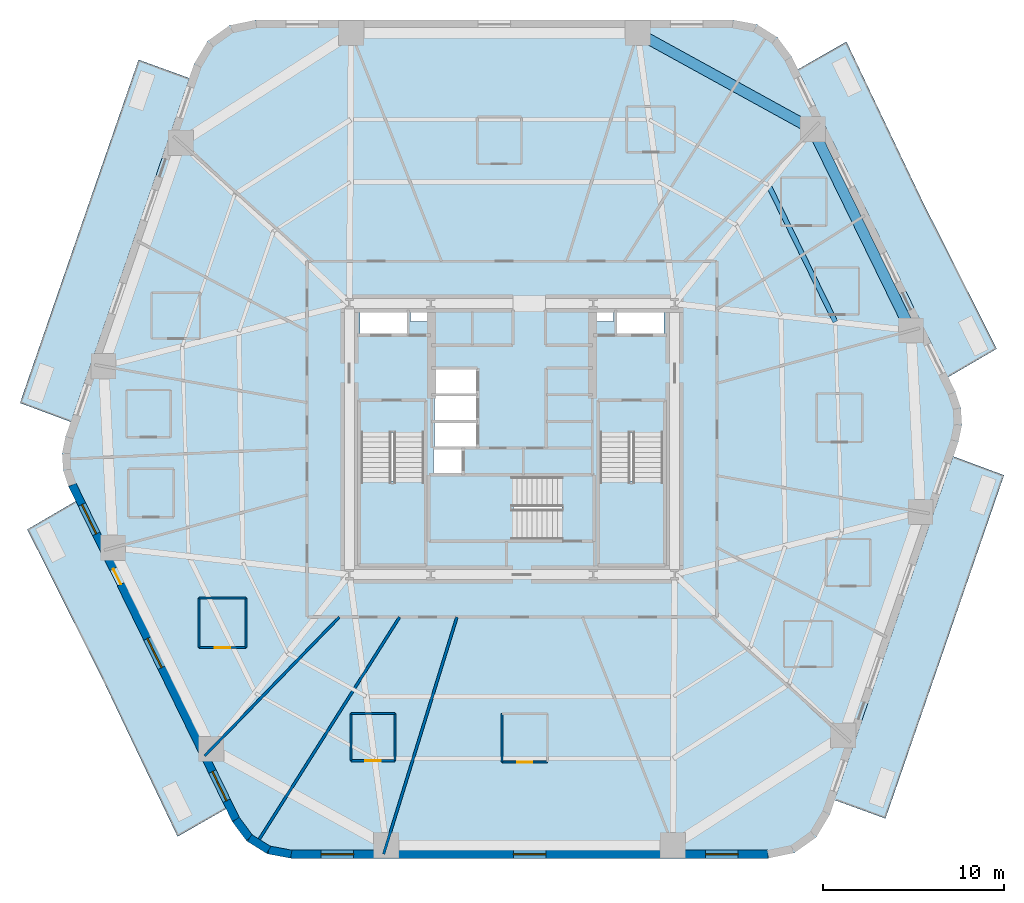
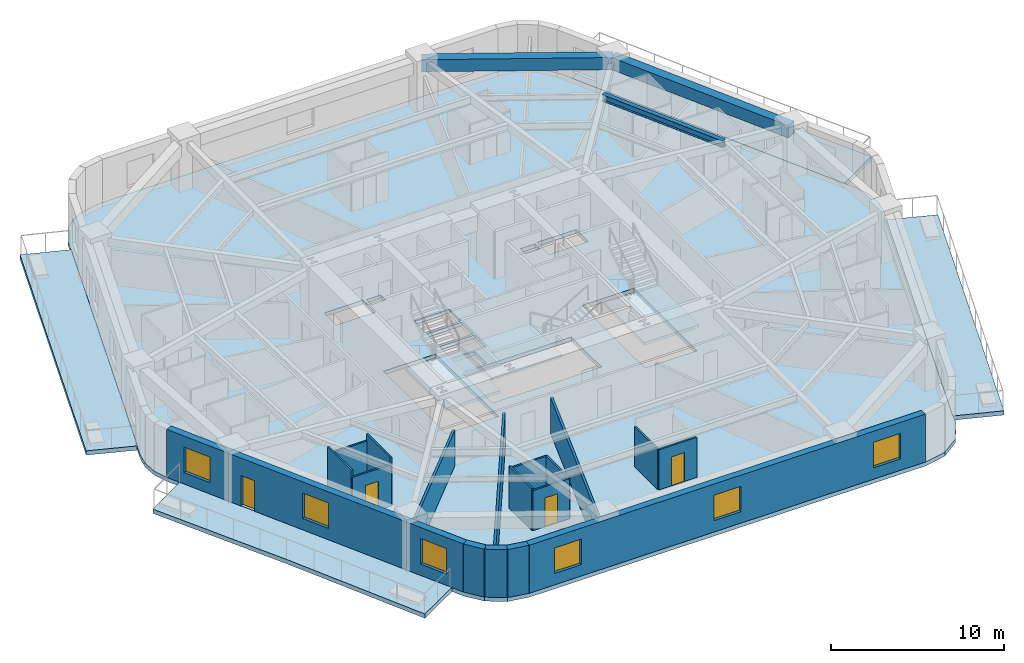
# One storey, part 2 of 10: 18 walls, 8 slabs, 6 windows, 4 doors, 3 beams, 10 openings, 3 elements without a shape of their own.
"""IFC4 building model written with IfcOpenShell, lengths in metres."""

from ifc_helpers import new_model, si_unit, direction, frame, frame_2d, origin, origin_2d, place, context, subcontext, project, spatial, polyline, rectangle, i_section, outline, extrude, material, layer, layer_set, material_profile, profile_set, type_object, element, fill, aggregate, save


model = new_model("IFC4")

# Units and contexts
model_context = context("Model", 3, precision=1e-05, world=origin(), true_north=direction((0.0, 1.0)))
body_context = subcontext(model_context, "Body", "Model", "MODEL_VIEW")
ifc_project = project(units=[si_unit("LENGTHUNIT", "METRE"), si_unit("AREAUNIT", "SQUARE_METRE"), si_unit("VOLUMEUNIT", "CUBIC_METRE"), si_unit("PLANEANGLEUNIT", "RADIAN"), si_unit("MASSUNIT", "GRAM", prefix="KILO")], contexts=[model_context])

# Site, building, storey
site_placement = place(None, origin())
site = spatial("IfcSite", under=ifc_project, at=site_placement, CompositionType="ELEMENT")
building_placement = place(site_placement, origin())
building = spatial("IfcBuilding", under=site, at=building_placement, Name="Kilnhurst Terrace Hotel", CompositionType="ELEMENT")
storey_placement = place(building_placement, frame((0.0, 0.0, 82.300048828125)))
storey = spatial("IfcBuildingStorey", under=building, at=storey_placement, Name="L19", CompositionType="ELEMENT", Elevation=82.300048828125)

# Beams
ifc_material_1 = material(Name="Concrete C50/60", Category="concrete")
ifc_material_profile_1 = material_profile(ifc_material_1, rectangle(XDim=0.60009765625, YDim=0.85009765625, at=origin_2d()), Name="RC600X850")
ifc_profile_set_1 = profile_set([ifc_material_profile_1], Name="Concrete C50/60")
beam_type_1 = type_object("IfcBeamType", Name="BM-SPN-600X850", PredefinedType="SPANDREL", material=ifc_profile_set_1)
beam_1_placement = place(storey_placement, frame((22.083984375, 6.013916015625, 2.954833984375), z_axis=(-0.438922573627, 0.898524888003, 0.0), x_axis=(-0.898524888003, -0.438922573627, 0.0)))
element("IfcBeam", 1, at=beam_1_placement, inside=storey, type_object=beam_type_1, Name="L19 Perimeter Spandrel Beam 5", PredefinedType="SPANDREL", context=body_context, shape_type="SweptSolid", body=[
    extrude(rectangle(XDim=0.60009765625, YDim=0.85009765625, at=origin_2d()), origin(), (0.0, 0.0, 1.0), 12.39599609375),
])
beam_2_placement = place(storey_placement, frame((16.64306640625, 17.152099609375, 2.954833984375), z_axis=(-0.876235488803, 0.481883147829, 0.0), x_axis=(-0.481883147829, -0.876235488803, 0.0)))
element("IfcBeam", 2, at=beam_2_placement, inside=storey, type_object=beam_type_1, Name="L19 Perimeter Spandrel Beam 6", PredefinedType="SPANDREL", context=body_context, shape_type="SweptSolid", body=[
    extrude(rectangle(XDim=0.60009765625, YDim=0.85009765625, at=origin_2d()), origin(), (0.0, 0.0, 1.0), 11.056396484375),
])
ifc_material_2 = material(Name="Steel ASTM A992 Grade 50", Category="steel")
ifc_material_profile_2 = material_profile(ifc_material_2, i_section(OverallWidth=0.279296875, OverallDepth=0.462890625, WebThickness=0.0107421875, FlangeThickness=0.017333984375, at=origin_2d()), Name="W18X76")
ifc_profile_set_2 = profile_set([ifc_material_profile_2], Name="Steel ASTM A992 Grade 50")
beam_type_2 = type_object("IfcBeamType", Name="JST-STL-W18X76", PredefinedType="JOIST", material=ifc_profile_set_2)
beam_3_placement = place(storey_placement, frame((17.897216796875, 6.489501953125, 3.14794921875), z_axis=(-0.438934275949, 0.898519171413, 0.0), x_axis=(-0.898519171413, -0.438934275949, 0.0)))
element("IfcBeam", 3, at=beam_3_placement, inside=storey, type_object=beam_type_2, Name="L19 Secondary Floor Steel Joist OUT.5", PredefinedType="JOIST", context=body_context, shape_type="SweptSolid", body=[
    extrude(i_section(OverallWidth=0.279296875, OverallDepth=0.462890625, WebThickness=0.0107421875, FlangeThickness=0.017333984375, at=origin_2d()), origin(), (0.0, 0.0, 1.0), 8.429443359375),
])

# Slabs
ifc_layer_1 = layer(ifc_material_1, 0.300048828125, Name="Concrete C50/60")
ifc_layer_set_1 = layer_set([ifc_layer_1], Name="Concrete C50/60")
slab_type_1 = type_object("IfcSlabType", Name="SLB-BAL-300", PredefinedType="FLOOR", material=ifc_layer_set_1)
slab_1_placement = place(storey_placement, frame((0.0, 0.0, -0.300048828125)))
element("IfcSlab", 4, at=slab_1_placement, inside=storey, type_object=slab_type_1, Name="L19 Cantilevered Planted Terrace Slab BAL-L1A", PredefinedType="FLOOR", context=body_context, shape_type="SweptSolid", body=[
    extrude(outline(polyline([(23.98046875, -11.4296875), (20.670166015625, -21.0), (17.84912109375, -19.975341796875), (24.410888671875, -0.9501953125), (27.23388671875, -2.0), (23.98046875, -11.4296875)])), origin(), (0.0, 0.0, 1.0), 0.300048828125),
])
slab_2_placement = place(storey_placement, frame((0.0, 0.0, -0.300048828125)))
element("IfcSlab", 5, at=slab_2_placement, inside=storey, type_object=slab_type_1, Name="L19 Cantilevered Planted Terrace Slab BAL-L1B", PredefinedType="FLOOR", context=body_context, shape_type="SweptSolid", body=[
    extrude(outline(polyline([(26.830810546875, 5.0), (24.128662109375, 3.42333984375), (15.809814453125, 20.452880859375), (18.509521484375, 22.0), (22.697021484375, 13.21142578125), (26.830810546875, 5.0)])), origin(), (0.0, 0.0, 1.0), 0.300048828125),
])
slab_3_placement = place(storey_placement, frame((0.0, 0.0, -0.300048828125)))
element("IfcSlab", 6, at=slab_3_placement, inside=storey, type_object=slab_type_1, Name="L19 Cantilevered Planted Terrace Slab BAL-L2A", PredefinedType="FLOOR", context=body_context, shape_type="SweptSolid", body=[
    extrude(outline(polyline([(-20.670166015625, 21.0), (-17.84912109375, 19.975341796875), (-24.410888671875, 0.9501953125), (-27.23388671875, 2.0), (-23.98046875, 11.4296875), (-20.670166015625, 21.0)])), origin(), (0.0, 0.0, 1.0), 0.300048828125),
])
slab_4_placement = place(storey_placement, frame((0.0, 0.0, -0.300048828125)))
element("IfcSlab", 7, at=slab_4_placement, inside=storey, type_object=slab_type_1, Name="L19 Cantilevered Planted Terrace Slab BAL-L2B", PredefinedType="FLOOR", context=body_context, shape_type="SweptSolid", body=[
    extrude(outline(polyline([(-26.830810546875, -5.0), (-24.128662109375, -3.42333984375), (-15.809814453125, -20.452880859375), (-18.509521484375, -22.0), (-22.697021484375, -13.21142578125), (-26.830810546875, -5.0)])), origin(), (0.0, 0.0, 1.0), 0.300048828125),
])
ifc_layer_2 = layer(ifc_material_1, 0.280029296875, Name="Concrete C50/60")
ifc_layer_set_2 = layer_set([ifc_layer_2], Name="Concrete C50/60")
slab_type_2 = type_object("IfcSlabType", Name="SLB-FLR-280", PredefinedType="FLOOR", material=ifc_layer_set_2)
slab_5_placement = place(storey_placement, frame((0.0, 0.0, -0.280029296875)))
element("IfcSlab", 8, at=slab_5_placement, inside=storey, type_object=slab_type_2, Name="L19 Structural Floor Slab", PredefinedType="FLOOR", context=body_context, shape_type="SweptSolid", body=[
    extrude(outline(polyline([(-15.476806640625, -21.18017578125), (-14.680908203125, -22.248046875), (-13.551025390625, -22.95361328125), (-12.241943359375, -23.199951171875), (14.191650390625, -23.199951171875), (15.635986328125, -22.8974609375), (16.837890625, -22.040771484375), (17.5947265625, -20.773681640625), (24.712890625, -0.135986328125), (24.90087890625, 0.7861328125), (24.843505859375, 1.7255859375), (24.54443359375, 2.617919921875), (15.476806640625, 21.18017578125), (14.680908203125, 22.248046875), (13.551025390625, 22.95361328125), (12.241943359375, 23.199951171875), (-14.191650390625, 23.199951171875), (-15.635986328125, 22.8974609375), (-16.837890625, 22.040771484375), (-17.5947265625, 20.773681640625), (-24.712890625, 0.135986328125), (-24.90087890625, -0.7861328125), (-24.843505859375, -1.7255859375), (-24.54443359375, -2.617919921875), (-15.476806640625, -21.18017578125)]), holes=[polyline([(-8.35009765625, 0.35498046875), (-4.8798828125, 0.35498046875), (-4.8798828125, -6.89990234375), (-8.35009765625, -6.89990234375), (-8.35009765625, 0.35498046875)]), polyline([(-2.800048828125, -1.89990234375), (-4.35009765625, -1.89990234375), (-4.35009765625, -0.550048828125), (-2.800048828125, -0.550048828125), (-2.800048828125, -1.89990234375)]), polyline([(-1.949951171875, -0.429931640625), (-4.300048828125, -0.429931640625), (-4.300048828125, 0.89990234375), (-1.949951171875, 0.89990234375), (-1.949951171875, -0.429931640625)]), polyline([(-4.300048828125, 1.050048828125), (-4.300048828125, 2.3798828125), (-1.949951171875, 2.3798828125), (-1.949951171875, 1.050048828125), (-4.300048828125, 1.050048828125)]), polyline([(-8.39990234375, 5.75), (-8.39990234375, 7.14990234375), (-5.800048828125, 7.14990234375), (-5.800048828125, 5.75), (-8.39990234375, 5.75)]), polyline([(-4.659912109375, 6.52001953125), (-5.6201171875, 6.52001953125), (-5.6201171875, 7.080078125), (-4.659912109375, 7.080078125), (-4.659912109375, 6.52001953125)]), polyline([(2.7548828125, -5.550048828125), (-4.5, -5.550048828125), (-4.5, -2.080078125), (2.7548828125, -2.080078125), (2.7548828125, -5.550048828125)]), polyline([(8.35009765625, 0.35498046875), (8.35009765625, -6.89990234375), (4.8798828125, -6.89990234375), (4.8798828125, 0.35498046875), (8.35009765625, 0.35498046875)]), polyline([(-1.949951171875, 2.530029296875), (-4.300048828125, 2.530029296875), (-4.300048828125, 3.860107421875), (-1.949951171875, 3.860107421875), (-1.949951171875, 2.530029296875)]), polyline([(5.800048828125, 5.75), (5.800048828125, 7.14990234375), (8.39990234375, 7.14990234375), (8.39990234375, 5.75), (5.800048828125, 5.75)]), polyline([(4.659912109375, 6.52001953125), (4.659912109375, 7.080078125), (5.6201171875, 7.080078125), (5.6201171875, 6.52001953125), (4.659912109375, 6.52001953125)])]), origin(), (0.0, 0.0, 1.0), 0.280029296875),
])

# Stair, slab
stair_type = type_object("IfcStairType", Name="STR-CORE-1660", PredefinedType="HALF_TURN_STAIR", material=ifc_material_1)
stair_1_placement = place(storey_placement, origin())
stair_1 = element("IfcStair", 9, at=stair_1_placement, inside=storey, type_object=stair_type, Name="L19 ST-1", PredefinedType="HALF_TURN_STAIR")
ifc_layer_3 = layer(ifc_material_1, 0.199951171875, Name="Concrete C50/60")
ifc_layer_set_3 = layer_set([ifc_layer_3], Name="Concrete C50/60")
slab_type_3 = type_object("IfcSlabType", Name="SLB-ST-LND-200", PredefinedType="LANDING", material=ifc_layer_set_3)
slab_6_placement = place(storey_placement, frame((0.0, 0.0, 1.64990234375)))
slab_6 = element("IfcSlab", 10, at=slab_6_placement, type_object=slab_type_3, Name="ST-1 landing 1", PredefinedType="LANDING", context=body_context, shape_type="SweptSolid", body=[
    extrude(outline(polyline([(-8.429931640625, -2.330078125), (-4.800048828125, -2.330078125), (-4.800048828125, -6.97998046875), (-8.429931640625, -6.97998046875), (-8.429931640625, -2.330078125)])), origin(), (0.0, 0.0, 1.0), 0.199951171875),
])
aggregate(stair_1, [slab_6])

stair_2_placement = place(storey_placement, origin())
stair_2 = element("IfcStair", 11, at=stair_2_placement, inside=storey, type_object=stair_type, Name="L19 ST-2", PredefinedType="HALF_TURN_STAIR")
slab_7_placement = place(storey_placement, frame((0.0, 0.0, 1.64990234375)))
slab_7 = element("IfcSlab", 12, at=slab_7_placement, type_object=slab_type_3, Name="ST-2 landing 1", PredefinedType="LANDING", context=body_context, shape_type="SweptSolid", body=[
    extrude(outline(polyline([(4.800048828125, -2.330078125), (8.429931640625, -2.330078125), (8.429931640625, -6.97998046875), (4.800048828125, -6.97998046875), (4.800048828125, -2.330078125)])), origin(), (0.0, 0.0, 1.0), 0.199951171875),
])
aggregate(stair_2, [slab_7])

stair_3_placement = place(storey_placement, origin())
stair_3 = element("IfcStair", 13, at=stair_3_placement, inside=storey, type_object=stair_type, Name="L19 ST-3", PredefinedType="HALF_TURN_STAIR")
slab_8_placement = place(storey_placement, frame((0.0, 0.0, 1.64990234375)))
slab_8 = element("IfcSlab", 14, at=slab_8_placement, type_object=slab_type_3, Name="ST-3 landing 1", PredefinedType="LANDING", context=body_context, shape_type="SweptSolid", body=[
    extrude(outline(polyline([(0.070068359375, -2.0), (0.070068359375, -5.6298828125), (-4.580078125, -5.6298828125), (-4.580078125, -2.0), (0.070068359375, -2.0)])), origin(), (0.0, 0.0, 1.0), 0.199951171875),
])
aggregate(stair_3, [slab_8])

# Walls
ifc_material_3 = material(Name="Precast concrete C40/50", Category="concrete")
ifc_layer_4 = layer(ifc_material_3, 0.449951171875, Name="Precast concrete C40/50")
ifc_layer_set_4 = layer_set([ifc_layer_4], Name="Precast concrete C40/50")
wall_type_1 = type_object("IfcWallType", Name="WL-BRK-450", PredefinedType="SOLIDWALL", material=ifc_layer_set_4)
wall_1_placement = place(storey_placement, frame((-15.28369140625, -21.0625, 0.0), z_axis=(0.0, 0.0, 1.0), x_axis=(0.597595366449, -0.801797841104, 0.0)))
element("IfcWall", 15, at=wall_1_placement, inside=storey, type_object=wall_type_1, Name="L19 Rounded Corner Brick Wall C1.1", PredefinedType="SOLIDWALL", context=body_context, shape_type="SweptSolid", body=[
    extrude(rectangle(XDim=1.2685546875, YDim=0.449951171875, at=frame_2d((0.63427734375, 0.0))), origin(), (0.0, 0.0, 1.0), 3.3798828125),
])
wall_2_placement = place(storey_placement, frame((-14.525634765625, -22.07958984375, 0.0), z_axis=(0.0, 0.0, 1.0), x_axis=(0.848185203596, -0.529699783275, 0.0)))
element("IfcWall", 16, at=wall_2_placement, inside=storey, type_object=wall_type_1, Name="L19 Rounded Corner Brick Wall C1.2", PredefinedType="SOLIDWALL", context=body_context, shape_type="SweptSolid", body=[
    extrude(rectangle(XDim=1.247314453125, YDim=0.449951171875, at=frame_2d((0.62353515625, 0.0))), origin(), (0.0, 0.0, 1.0), 3.3798828125),
])
wall_3_placement = place(storey_placement, frame((-13.4677734375, -22.740234375, 0.0), z_axis=(0.0, 0.0, 1.0), x_axis=(0.982717174228, -0.185113358451, 0.0)))
element("IfcWall", 17, at=wall_3_placement, inside=storey, type_object=wall_type_1, Name="L19 Rounded Corner Brick Wall C1.3", PredefinedType="SOLIDWALL", context=body_context, shape_type="SweptSolid", body=[
    extrude(rectangle(XDim=1.268798828125, YDim=0.449951171875, at=frame_2d((0.63427734375, 0.0))), origin(), (0.0, 0.0, 1.0), 3.3798828125),
])

# Wall, openings, windows
wall_4_placement = place(storey_placement, frame((-12.220947265625, -22.97509765625, 0.0), z_axis=(0.0, 0.0, 1.0), x_axis=(1.0, 0.0, 0.0)))
wall_4 = element("IfcWall", 18, at=wall_4_placement, inside=storey, type_object=wall_type_1, Name="L19 Exterior Brick Facade Wall F1", PredefinedType="SOLIDWALL", context=body_context, shape_type="SweptSolid", body=[
    extrude(rectangle(XDim=26.38916015625, YDim=0.449951171875, at=frame_2d((13.194580078125, 0.0))), origin(), (0.0, 0.0, 1.0), 3.3798828125),
])
opening_1_placement = place(wall_4_placement, frame((1.653076171875, 0.0, 0.800048828125)))
opening_1 = element("IfcOpeningElement", 19, at=opening_1_placement, cuts=wall_4, Name="Opening W-01", PredefinedType="OPENING", context=body_context, shape_type="SweptSolid", body=[
    extrude(rectangle(XDim=1.800048828125, YDim=1.800048828125, at=frame_2d((0.89990234375, 0.89990234375))), frame((0.0, 0.23486328125, 0.0), z_axis=(0.0, -1.0, 0.0), x_axis=(1.0, 0.0, 0.0)), (0.0, 0.0, 1.0), 0.469970703125),
])
opening_2_placement = place(wall_4_placement, frame((12.2958984375, 0.0, 0.800048828125)))
opening_2 = element("IfcOpeningElement", 20, at=opening_2_placement, cuts=wall_4, Name="Opening W-01", PredefinedType="OPENING", context=body_context, shape_type="SweptSolid", body=[
    extrude(rectangle(XDim=1.800048828125, YDim=1.800048828125, at=frame_2d((0.89990234375, 0.89990234375))), frame((0.0, 0.23486328125, 0.0), z_axis=(0.0, -1.0, 0.0), x_axis=(1.0, 0.0, 0.0)), (0.0, 0.0, 1.0), 0.469970703125),
])
opening_3_placement = place(wall_4_placement, frame((22.93798828125, 0.0, 0.800048828125)))
opening_3 = element("IfcOpeningElement", 21, at=opening_3_placement, cuts=wall_4, Name="Opening W-01", PredefinedType="OPENING", context=body_context, shape_type="SweptSolid", body=[
    extrude(rectangle(XDim=1.800048828125, YDim=1.800048828125, at=frame_2d((0.89990234375, 0.89990234375))), frame((0.0, 0.23486328125, 0.0), z_axis=(0.0, -1.0, 0.0), x_axis=(1.0, 0.0, 0.0)), (0.0, 0.0, 1.0), 0.469970703125),
])
ifc_material_4 = material(Name="Thermally Broken Bronze Aluminium Alloy 6063-T6 and Low-E Glass", Category="aluminium")
window_type = type_object("IfcWindowType", Name="WIN-1800X1800", PartitioningType="SINGLE_PANEL", PredefinedType="WINDOW", material=ifc_material_4)
window_1_placement = place(opening_1_placement, origin())
window_1 = element("IfcWindow", 22, at=window_1_placement, inside=storey, type_object=window_type, Name="L19 Deep-Set Masonry Window F1.1", OverallHeight=1.800048828125, OverallWidth=1.800048828125, PartitioningType="SINGLE_PANEL", PredefinedType="WINDOW", context=body_context, shape_type="SweptSolid", body=[
    extrude(rectangle(XDim=1.800048828125, YDim=1.800048828125, at=frame_2d((0.89990234375, 0.89990234375))), frame((0.0, 0.030029296875, 0.0), z_axis=(0.0, -1.0, 0.0), x_axis=(1.0, 0.0, 0.0)), (0.0, 0.0, 1.0), 0.06005859375),
])
fill(opening_1, window_1)
window_2_placement = place(opening_2_placement, origin())
window_2 = element("IfcWindow", 23, at=window_2_placement, inside=storey, type_object=window_type, Name="L19 Deep-Set Masonry Window F1.2", OverallHeight=1.800048828125, OverallWidth=1.800048828125, PartitioningType="SINGLE_PANEL", PredefinedType="WINDOW", context=body_context, shape_type="SweptSolid", body=[
    extrude(rectangle(XDim=1.800048828125, YDim=1.800048828125, at=frame_2d((0.89990234375, 0.89990234375))), frame((0.0, 0.030029296875, 0.0), z_axis=(0.0, -1.0, 0.0), x_axis=(1.0, 0.0, 0.0)), (0.0, 0.0, 1.0), 0.06005859375),
])
fill(opening_2, window_2)
window_3_placement = place(opening_3_placement, origin())
window_3 = element("IfcWindow", 24, at=window_3_placement, inside=storey, type_object=window_type, Name="L19 Deep-Set Masonry Window F1.3", OverallHeight=1.800048828125, OverallWidth=1.800048828125, PartitioningType="SINGLE_PANEL", PredefinedType="WINDOW", context=body_context, shape_type="SweptSolid", body=[
    extrude(rectangle(XDim=1.800048828125, YDim=1.800048828125, at=frame_2d((0.89990234375, 0.89990234375))), frame((0.0, 0.030029296875, 0.0), z_axis=(0.0, -1.0, 0.0), x_axis=(1.0, 0.0, 0.0)), (0.0, 0.0, 1.0), 0.06005859375),
])
fill(opening_3, window_3)

# Wall, openings, door, windows
wall_5_placement = place(storey_placement, frame((-24.335693359375, -2.532470703125, 0.0), z_axis=(0.0, 0.0, 1.0), x_axis=(0.438931326393, -0.898520612291, 0.0)))
wall_5 = element("IfcWall", 25, at=wall_5_placement, inside=storey, type_object=wall_type_1, Name="L19 Exterior Brick Facade Wall F6", PredefinedType="SOLIDWALL", context=body_context, shape_type="SweptSolid", body=[
    extrude(rectangle(XDim=20.622802734375, YDim=0.449951171875, at=frame_2d((10.3115234375, 0.0))), origin(), (0.0, 0.0, 1.0), 3.3798828125),
])
opening_4_placement = place(wall_5_placement, frame((5.1708984375, 0.0, 0.0)))
opening_4 = element("IfcOpeningElement", 26, at=opening_4_placement, cuts=wall_5, Name="Opening BD-950", PredefinedType="OPENING", context=body_context, shape_type="SweptSolid", body=[
    extrude(rectangle(XDim=0.949951171875, YDim=2.14990234375, at=frame_2d((0.47509765625, 1.074951171875))), frame((0.0, 0.23486328125, 0.0), z_axis=(0.0, -1.0, 0.0), x_axis=(1.0, 0.0, 0.0)), (0.0, 0.0, 1.0), 0.469970703125),
])
opening_5_placement = place(wall_5_placement, frame((1.214111328125, 0.0, 0.800048828125)))
opening_5 = element("IfcOpeningElement", 27, at=opening_5_placement, cuts=wall_5, Name="Opening W-01", PredefinedType="OPENING", context=body_context, shape_type="SweptSolid", body=[
    extrude(rectangle(XDim=1.800048828125, YDim=1.800048828125, at=frame_2d((0.89990234375, 0.89990234375))), frame((0.0, 0.23486328125, 0.0), z_axis=(0.0, -1.0, 0.0), x_axis=(1.0, 0.0, 0.0)), (0.0, 0.0, 1.0), 0.469970703125),
])
opening_6_placement = place(wall_5_placement, frame((9.4619140625, 0.0, 0.800048828125)))
opening_6 = element("IfcOpeningElement", 28, at=opening_6_placement, cuts=wall_5, Name="Opening W-01", PredefinedType="OPENING", context=body_context, shape_type="SweptSolid", body=[
    extrude(rectangle(XDim=1.800048828125, YDim=1.800048828125, at=frame_2d((0.89990234375, 0.89990234375))), frame((0.0, 0.23486328125, 0.0), z_axis=(0.0, -1.0, 0.0), x_axis=(1.0, 0.0, 0.0)), (0.0, 0.0, 1.0), 0.469970703125),
])
opening_7_placement = place(wall_5_placement, frame((17.659912109375, 0.0, 0.800048828125)))
opening_7 = element("IfcOpeningElement", 29, at=opening_7_placement, cuts=wall_5, Name="Opening W-01", PredefinedType="OPENING", context=body_context, shape_type="SweptSolid", body=[
    extrude(rectangle(XDim=1.800048828125, YDim=1.800048828125, at=frame_2d((0.89990234375, 0.89990234375))), frame((0.0, 0.23486328125, 0.0), z_axis=(0.0, -1.0, 0.0), x_axis=(1.0, 0.0, 0.0)), (0.0, 0.0, 1.0), 0.469970703125),
])
ifc_material_5 = material(Name="Thermally Broken Bronze Aluminium Alloy 6063-T6 and Laminated Glass", Category="aluminium")
door_type_1 = type_object("IfcDoorType", Name="DR-EXT-BAL-950", OperationType="NOTDEFINED", PredefinedType="DOOR", material=ifc_material_5)
door_1_placement = place(opening_4_placement, origin())
door_1 = element("IfcDoor", 30, at=door_1_placement, inside=storey, type_object=door_type_1, Name="L19 Planted Balcony Door BAL-L2B", OperationType="SINGLE_SWING_RIGHT", OverallHeight=2.14990234375, OverallWidth=0.949951171875, PredefinedType="DOOR", context=body_context, shape_type="SweptSolid", body=[
    extrude(rectangle(XDim=0.949951171875, YDim=2.14990234375, at=frame_2d((0.47509765625, 1.074951171875))), frame((0.0, 0.02490234375, 0.0), z_axis=(0.0, -1.0, 0.0), x_axis=(1.0, 0.0, 0.0)), (0.0, 0.0, 1.0), 0.050048828125),
])
fill(opening_4, door_1)
window_4_placement = place(opening_5_placement, origin())
window_4 = element("IfcWindow", 31, at=window_4_placement, inside=storey, type_object=window_type, Name="L19 Deep-Set Masonry Window F6.1", OverallHeight=1.800048828125, OverallWidth=1.800048828125, PartitioningType="SINGLE_PANEL", PredefinedType="WINDOW", context=body_context, shape_type="SweptSolid", body=[
    extrude(rectangle(XDim=1.800048828125, YDim=1.800048828125, at=frame_2d((0.89990234375, 0.89990234375))), frame((0.0, 0.030029296875, 0.0), z_axis=(0.0, -1.0, 0.0), x_axis=(1.0, 0.0, 0.0)), (0.0, 0.0, 1.0), 0.06005859375),
])
fill(opening_5, window_4)
window_5_placement = place(opening_6_placement, origin())
window_5 = element("IfcWindow", 32, at=window_5_placement, inside=storey, type_object=window_type, Name="L19 Deep-Set Masonry Window F6.2", OverallHeight=1.800048828125, OverallWidth=1.800048828125, PartitioningType="SINGLE_PANEL", PredefinedType="WINDOW", context=body_context, shape_type="SweptSolid", body=[
    extrude(rectangle(XDim=1.800048828125, YDim=1.800048828125, at=frame_2d((0.89990234375, 0.89990234375))), frame((0.0, 0.030029296875, 0.0), z_axis=(0.0, -1.0, 0.0), x_axis=(1.0, 0.0, 0.0)), (0.0, 0.0, 1.0), 0.06005859375),
])
fill(opening_6, window_5)
window_6_placement = place(opening_7_placement, origin())
window_6 = element("IfcWindow", 33, at=window_6_placement, inside=storey, type_object=window_type, Name="L19 Deep-Set Masonry Window F6.3", OverallHeight=1.800048828125, OverallWidth=1.800048828125, PartitioningType="SINGLE_PANEL", PredefinedType="WINDOW", context=body_context, shape_type="SweptSolid", body=[
    extrude(rectangle(XDim=1.800048828125, YDim=1.800048828125, at=frame_2d((0.89990234375, 0.89990234375))), frame((0.0, 0.030029296875, 0.0), z_axis=(0.0, -1.0, 0.0), x_axis=(1.0, 0.0, 0.0)), (0.0, 0.0, 1.0), 0.06005859375),
])
fill(opening_7, window_6)

# Walls
ifc_material_6 = material(Name="STC-58 Acoustic Twin-Frame Guestroom Demising Partition")
ifc_layer_5 = layer(ifc_material_6, 0.14990234375, Name="STC-58 Acoustic Twin-Frame Guestroom Demising Partition")
ifc_layer_set_5 = layer_set([ifc_layer_5], Name="STC-58 Acoustic Twin-Frame Guestroom Demising Partition")
wall_type_2 = type_object("IfcWallType", Name="WL-DEM-150", PredefinedType="PARTITIONING", material=ifc_layer_set_5)
wall_6_placement = place(storey_placement, frame((-9.5576171875, -9.85009765625, 0.0), z_axis=(0.0, 0.0, 1.0), x_axis=(-0.69638346089, -0.717669893056, 0.0)))
element("IfcWall", 34, at=wall_6_placement, inside=storey, type_object=wall_type_2, Name="L19 Interior Wall WL-L19-DEM-COL08-12-1", PredefinedType="PARTITIONING", context=body_context, shape_type="SweptSolid", body=[
    extrude(rectangle(XDim=10.700927734375, YDim=0.14990234375, at=frame_2d((5.3505859375, 0.0))), origin(), (0.0, 0.0, 1.0), 2.52001953125),
])
wall_7_placement = place(storey_placement, frame((-6.222412109375, -9.85009765625, 0.0), z_axis=(0.0, 0.0, 1.0), x_axis=(-0.534069056435, -0.845440857162, 0.0)))
element("IfcWall", 35, at=wall_7_placement, inside=storey, type_object=wall_type_2, Name="L19 Interior Wall WL-L19-DEM-MID08-13-1", PredefinedType="PARTITIONING", context=body_context, shape_type="SweptSolid", body=[
    extrude(rectangle(XDim=14.611328125, YDim=0.14990234375, at=frame_2d((7.3056640625, 0.0))), origin(), (0.0, 0.0, 1.0), 2.52001953125),
])
wall_8_placement = place(storey_placement, frame((-3.047607421875, -9.85009765625, 0.0), z_axis=(0.0, 0.0, 1.0), x_axis=(-0.295553992761, -0.955326037206, 0.0)))
element("IfcWall", 36, at=wall_8_placement, inside=storey, type_object=wall_type_2, Name="L19 Interior Wall WL-L19-DEM-COL09-14-1", PredefinedType="PARTITIONING", context=body_context, shape_type="SweptSolid", body=[
    extrude(rectangle(XDim=13.73876953125, YDim=0.14990234375, at=frame_2d((6.869384765625, 0.0))), origin(), (0.0, 0.0, 1.0), 2.52001953125),
])

# Wall, opening, door
ifc_material_7 = material(Name="120 mm Moisture-Resistant Tile-Backed Bathroom Partition")
ifc_layer_6 = layer(ifc_material_7, 0.1201171875, Name="120 mm Moisture-Resistant Tile-Backed Bathroom Partition")
ifc_layer_set_6 = layer_set([ifc_layer_6], Name="120 mm Moisture-Resistant Tile-Backed Bathroom Partition")
wall_type_3 = type_object("IfcWallType", Name="WL-PART-120", PredefinedType="PARTITIONING", material=ifc_layer_set_6)
wall_9_placement = place(storey_placement, frame((-17.323974609375, -11.5400390625, 0.0), z_axis=(0.0, 0.0, 1.0), x_axis=(1.0, 0.0, 0.0)))
wall_9 = element("IfcWall", 37, at=wall_9_placement, inside=storey, type_object=wall_type_3, Name="L19 Interior Wall WL-L19-BTH-11-1", PredefinedType="PARTITIONING", context=body_context, shape_type="SweptSolid", body=[
    extrude(rectangle(XDim=2.599853515625, YDim=0.1201171875, at=frame_2d((1.2998046875, 0.0))), origin(), (0.0, 0.0, 1.0), 2.906494140625),
])
opening_8_placement = place(wall_9_placement, frame((0.875, 0.0, 0.0)))
opening_8 = element("IfcOpeningElement", 38, at=opening_8_placement, cuts=wall_9, Name="Opening D-08A", PredefinedType="OPENING", context=body_context, shape_type="SweptSolid", body=[
    extrude(rectangle(XDim=0.85009765625, YDim=2.030029296875, at=frame_2d((0.425048828125, 1.01513671875))), frame((0.0, 0.070068359375, 0.0), z_axis=(0.0, -1.0, 0.0), x_axis=(1.0, 0.0, 0.0)), (0.0, 0.0, 1.0), 0.14013671875),
])
ifc_material_8 = material(Name="Moisture-Resistant Lacquered En-suite Bathroom Door")
door_type_2 = type_object("IfcDoorType", Name="DR-INT-850", OperationType="NOTDEFINED", PredefinedType="DOOR", material=ifc_material_8)
door_2_placement = place(opening_8_placement, origin())
door_2 = element("IfcDoor", 39, at=door_2_placement, inside=storey, type_object=door_type_2, Name="L19 En-suite Bathroom Door 11", OperationType="SINGLE_SWING_RIGHT", OverallHeight=2.030029296875, OverallWidth=0.85009765625, PredefinedType="DOOR", context=body_context, shape_type="SweptSolid", body=[
    extrude(rectangle(XDim=0.85009765625, YDim=2.030029296875, at=frame_2d((0.425048828125, 1.01513671875))), frame((0.0, 0.02490234375, 0.0), z_axis=(0.0, -1.0, 0.0), x_axis=(1.0, 0.0, 0.0)), (0.0, 0.0, 1.0), 0.050048828125),
])
fill(opening_8, door_2)

# Walls
wall_10_placement = place(storey_placement, frame((-14.72412109375, -11.5400390625, 0.0), z_axis=(0.0, 0.0, 1.0), x_axis=(0.0, 1.0, 0.0)))
element("IfcWall", 40, at=wall_10_placement, inside=storey, type_object=wall_type_3, Name="L19 Interior Wall WL-L19-BTH-11-2", PredefinedType="PARTITIONING", context=body_context, shape_type="SweptSolid", body=[
    extrude(rectangle(XDim=2.75, YDim=0.1201171875, at=frame_2d((1.375, 0.0))), origin(), (0.0, 0.0, 1.0), 3.3798828125),
])
wall_11_placement = place(storey_placement, frame((-14.72412109375, -8.7900390625, 0.0), z_axis=(0.0, 0.0, 1.0), x_axis=(-1.0, 0.0, 0.0)))
element("IfcWall", 41, at=wall_11_placement, inside=storey, type_object=wall_type_3, Name="L19 Interior Wall WL-L19-BTH-11-3", PredefinedType="PARTITIONING", context=body_context, shape_type="SweptSolid", body=[
    extrude(rectangle(XDim=2.599853515625, YDim=0.1201171875, at=frame_2d((1.2998046875, 0.0))), origin(), (0.0, 0.0, 1.0), 2.906494140625),
])
wall_12_placement = place(storey_placement, frame((-17.323974609375, -8.7900390625, 0.0), z_axis=(0.0, 0.0, 1.0), x_axis=(0.0, -1.0, 0.0)))
element("IfcWall", 42, at=wall_12_placement, inside=storey, type_object=wall_type_3, Name="L19 Interior Wall WL-L19-BTH-11-4", PredefinedType="PARTITIONING", context=body_context, shape_type="SweptSolid", body=[
    extrude(rectangle(XDim=2.75, YDim=0.1201171875, at=frame_2d((1.375, 0.0))), origin(), (0.0, 0.0, 1.0), 3.3798828125),
])

# Wall, opening, door
wall_13_placement = place(storey_placement, frame((-8.910888671875, -17.802001953125, 0.0), z_axis=(0.0, 0.0, 1.0), x_axis=(1.0, 0.0, 0.0)))
wall_13 = element("IfcWall", 43, at=wall_13_placement, inside=storey, type_object=wall_type_3, Name="L19 Interior Wall WL-L19-BTH-13-1", PredefinedType="PARTITIONING", context=body_context, shape_type="SweptSolid", body=[
    extrude(rectangle(XDim=2.43994140625, YDim=0.1201171875, at=frame_2d((1.219970703125, 0.0))), origin(), (0.0, 0.0, 1.0), 2.820068359375),
])
opening_9_placement = place(wall_13_placement, frame((0.794921875, 0.0, 0.0)))
opening_9 = element("IfcOpeningElement", 44, at=opening_9_placement, cuts=wall_13, Name="Opening D-08A", PredefinedType="OPENING", context=body_context, shape_type="SweptSolid", body=[
    extrude(rectangle(XDim=0.85009765625, YDim=2.030029296875, at=frame_2d((0.425048828125, 1.01513671875))), frame((0.0, 0.070068359375, 0.0), z_axis=(0.0, -1.0, 0.0), x_axis=(1.0, 0.0, 0.0)), (0.0, 0.0, 1.0), 0.14013671875),
])
door_3_placement = place(opening_9_placement, origin())
door_3 = element("IfcDoor", 45, at=door_3_placement, inside=storey, type_object=door_type_2, Name="L19 En-suite Bathroom Door 13", OperationType="SINGLE_SWING_RIGHT", OverallHeight=2.030029296875, OverallWidth=0.85009765625, PredefinedType="DOOR", context=body_context, shape_type="SweptSolid", body=[
    extrude(rectangle(XDim=0.85009765625, YDim=2.030029296875, at=frame_2d((0.425048828125, 1.01513671875))), frame((0.0, 0.02490234375, 0.0), z_axis=(0.0, -1.0, 0.0), x_axis=(1.0, 0.0, 0.0)), (0.0, 0.0, 1.0), 0.050048828125),
])
fill(opening_9, door_3)

# Walls
wall_14_placement = place(storey_placement, frame((-6.470947265625, -17.802001953125, 0.0), z_axis=(0.0, 0.0, 1.0), x_axis=(0.0, 1.0, 0.0)))
element("IfcWall", 46, at=wall_14_placement, inside=storey, type_object=wall_type_3, Name="L19 Interior Wall WL-L19-BTH-13-2", PredefinedType="PARTITIONING", context=body_context, shape_type="SweptSolid", body=[
    extrude(rectangle(XDim=2.610107421875, YDim=0.1201171875, at=frame_2d((1.30517578125, 0.0))), origin(), (0.0, 0.0, 1.0), 2.8203125),
])
wall_15_placement = place(storey_placement, frame((-6.470947265625, -15.19189453125, 0.0), z_axis=(0.0, 0.0, 1.0), x_axis=(-1.0, 0.0, 0.0)))
element("IfcWall", 47, at=wall_15_placement, inside=storey, type_object=wall_type_3, Name="L19 Interior Wall WL-L19-BTH-13-3", PredefinedType="PARTITIONING", context=body_context, shape_type="SweptSolid", body=[
    extrude(rectangle(XDim=2.43994140625, YDim=0.1201171875, at=frame_2d((1.219970703125, 0.0))), origin(), (0.0, 0.0, 1.0), 2.820068359375),
])
wall_16_placement = place(storey_placement, frame((-8.910888671875, -15.19189453125, 0.0), z_axis=(0.0, 0.0, 1.0), x_axis=(0.0, -1.0, 0.0)))
element("IfcWall", 48, at=wall_16_placement, inside=storey, type_object=wall_type_3, Name="L19 Interior Wall WL-L19-BTH-13-4", PredefinedType="PARTITIONING", context=body_context, shape_type="SweptSolid", body=[
    extrude(rectangle(XDim=2.610107421875, YDim=0.1201171875, at=frame_2d((1.30517578125, 0.0))), origin(), (0.0, 0.0, 1.0), 2.9521484375),
])

# Wall, opening, door
wall_17_placement = place(storey_placement, frame((-0.55810546875, -17.876953125, 0.0), z_axis=(0.0, 0.0, 1.0), x_axis=(1.0, 0.0, 0.0)))
wall_17 = element("IfcWall", 49, at=wall_17_placement, inside=storey, type_object=wall_type_3, Name="L19 Interior Wall WL-L19-BTH-14-1", PredefinedType="PARTITIONING", context=body_context, shape_type="SweptSolid", body=[
    extrude(rectangle(XDim=2.52001953125, YDim=0.1201171875, at=frame_2d((1.260009765625, 0.0))), origin(), (0.0, 0.0, 1.0), 2.8203125),
])
opening_10_placement = place(wall_17_placement, frame((0.8349609375, 0.0, 0.0)))
opening_10 = element("IfcOpeningElement", 50, at=opening_10_placement, cuts=wall_17, Name="Opening D-08A", PredefinedType="OPENING", context=body_context, shape_type="SweptSolid", body=[
    extrude(rectangle(XDim=0.85009765625, YDim=2.030029296875, at=frame_2d((0.425048828125, 1.01513671875))), frame((0.0, 0.070068359375, 0.0), z_axis=(0.0, -1.0, 0.0), x_axis=(1.0, 0.0, 0.0)), (0.0, 0.0, 1.0), 0.14013671875),
])
door_4_placement = place(opening_10_placement, origin())
door_4 = element("IfcDoor", 51, at=door_4_placement, inside=storey, type_object=door_type_2, Name="L19 En-suite Bathroom Door 14", OperationType="SINGLE_SWING_LEFT", OverallHeight=2.030029296875, OverallWidth=0.85009765625, PredefinedType="DOOR", context=body_context, shape_type="SweptSolid", body=[
    extrude(rectangle(XDim=0.85009765625, YDim=2.030029296875, at=frame_2d((0.425048828125, 1.01513671875))), frame((0.0, 0.02490234375, 0.0), z_axis=(0.0, -1.0, 0.0), x_axis=(1.0, 0.0, 0.0)), (0.0, 0.0, 1.0), 0.050048828125),
])
fill(opening_10, door_4)

# Wall
wall_18_placement = place(storey_placement, frame((-0.55810546875, -15.197021484375, 0.0), z_axis=(0.0, 0.0, 1.0), x_axis=(0.0, -1.0, 0.0)))
element("IfcWall", 52, at=wall_18_placement, inside=storey, type_object=wall_type_3, Name="L19 Interior Wall WL-L19-BTH-14-4", PredefinedType="PARTITIONING", context=body_context, shape_type="SweptSolid", body=[
    extrude(rectangle(XDim=2.679931640625, YDim=0.1201171875, at=frame_2d((1.33984375, 0.0))), origin(), (0.0, 0.0, 1.0), 2.8203125),
])

save(model, "model.ifc")
